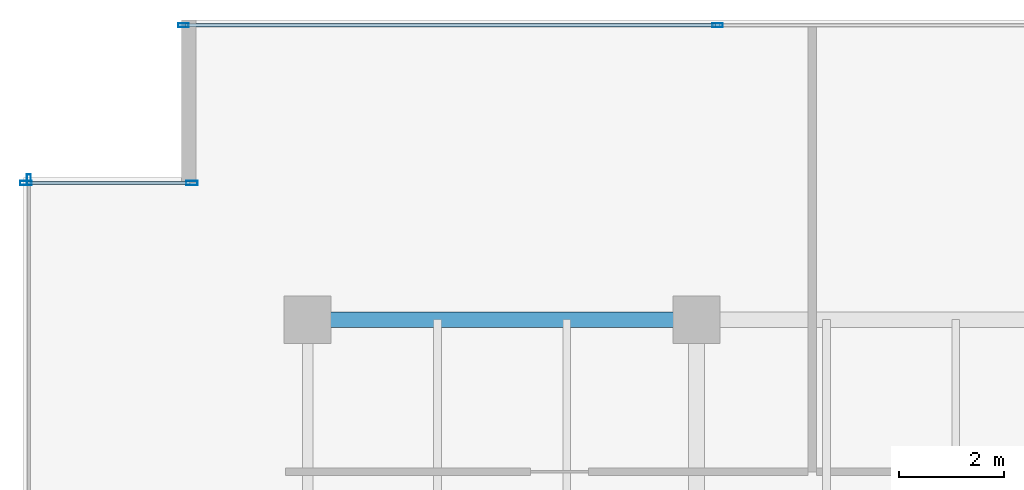
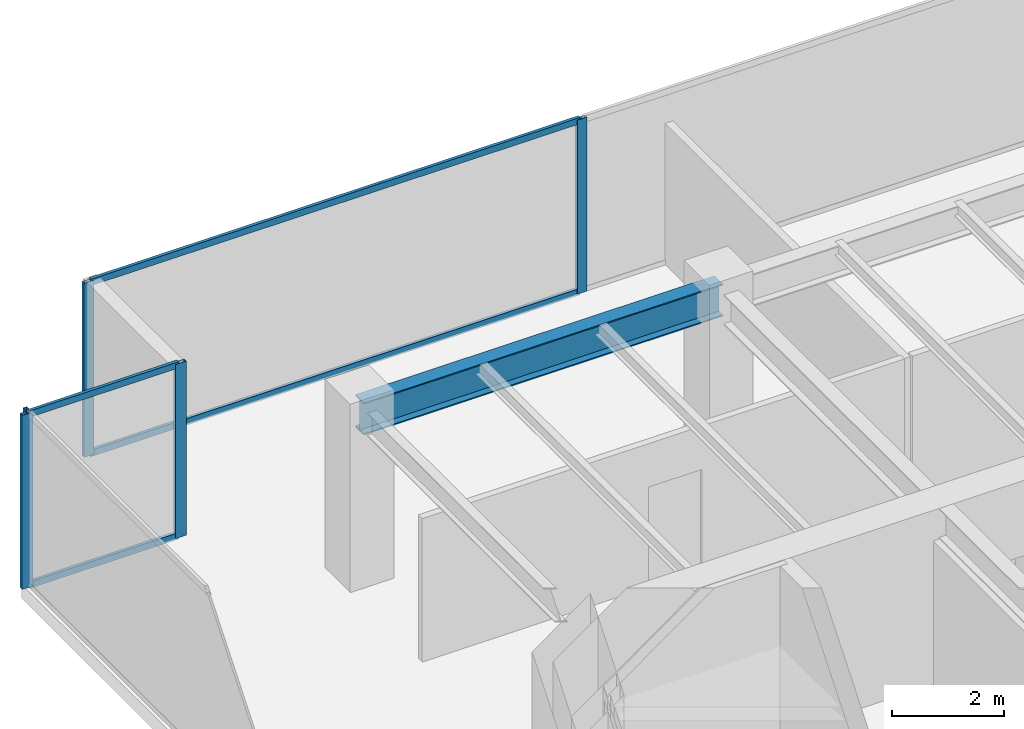
# One storey, part 14 of 30: 9 members, 1 beam, 3 elements without a shape of their own.
"""IFC4 building model written with IfcOpenShell, lengths in metres."""

from ifc_helpers import new_model, si_unit, direction, frame, origin, origin_2d, place, context, subcontext, project, spatial, hollow_rectangle, i_section, extrude, source, transform, mapped, material, layer, layer_set, material_profile, profile_set, type_object, type_shapes, element, aggregate, save


model = new_model("IFC4")

# Units and contexts
model_context = context("Model", 3, precision=1e-05, world=origin(), true_north=direction((0.0, 1.0)))
body_context = subcontext(model_context, "Body", "Model", "MODEL_VIEW")
ifc_project = project(units=[si_unit("LENGTHUNIT", "METRE"), si_unit("AREAUNIT", "SQUARE_METRE"), si_unit("VOLUMEUNIT", "CUBIC_METRE"), si_unit("PLANEANGLEUNIT", "RADIAN"), si_unit("MASSUNIT", "GRAM", prefix="KILO")], contexts=[model_context])

# Site, building, storey
site_placement = place(None, origin())
site = spatial("IfcSite", under=ifc_project, at=site_placement, CompositionType="ELEMENT")
building_placement = place(site_placement, origin())
building = spatial("IfcBuilding", under=site, at=building_placement, Name="Haelvirn Gate Laboratories", CompositionType="ELEMENT")
storey_placement = place(building_placement, frame((0.0, 0.0, 142.0)))
storey = spatial("IfcBuildingStorey", under=building, at=storey_placement, Name="L34", CompositionType="ELEMENT", Elevation=142.0)

# Beam
ifc_material_1 = material(Name="Steel SM355", Category="steel")
ifc_material_profile_1 = material_profile(ifc_material_1, i_section(OverallWidth=0.300048828125, OverallDepth=0.699951171875, WebThickness=0.012939453125, FlangeThickness=0.02392578125, at=origin_2d()), Name="H-700x300x13x24")
ifc_profile_set_1 = profile_set([ifc_material_profile_1], Name="Steel SM355")
beam_type = type_object("IfcBeamType", Name="BM-G-700", PredefinedType="BEAM", material=ifc_profile_set_1)
shared_shape_1 = source(origin(), body_context, "Body", "SweptSolid", [
    extrude(i_section(OverallWidth=0.300048828125, OverallDepth=0.699951171875, WebThickness=0.012939453125, FlangeThickness=0.02392578125, at=origin_2d()), origin(), (0.0, 0.0, 1.0), 7.400146484375),
])
type_shapes(beam_type, [shared_shape_1])
beam_placement = place(storey_placement, frame((7.39990234375, 41.60009765625, 3.43994140625), z_axis=(1.0, 0.0, 0.0), x_axis=(0.0, 1.0, 0.0)))
element("IfcBeam", 1, at=beam_placement, inside=storey, type_object=beam_type, Name="L34 Primary Girder Y41.6 (7.4-14.8)", PredefinedType="BEAM", context=body_context, shape_type="MappedRepresentation", body=[
    mapped(shared_shape_1, transform((0.0, 0.0, 0.0), scale=1.0)),
])

# Curtain wall, members
ifc_material_2 = material(Name="Anodised bronze unitised aluminium & triple low-E glass", Category="aluminium")
ifc_layer_1 = layer(ifc_material_2, 0.179931640625, Name="CW-SYS-3")
ifc_layer_set_1 = layer_set([ifc_layer_1], Name="Anodised bronze unitised aluminium & triple low-E glass")
curtain_wall_type_1 = type_object("IfcCurtainWallType", Name="CW-SYS-3", PredefinedType="NOTDEFINED", material=ifc_layer_set_1)
curtain_wall_1_placement = place(storey_placement, origin())
curtain_wall_1 = element("IfcCurtainWall", 2, at=curtain_wall_1_placement, inside=storey, type_object=curtain_wall_type_1, Name="L34 Unitised Curtain Wall CW-L34-P0-E14-1", PredefinedType="NOTDEFINED")
ifc_material_3 = material(Name="Extruded aluminium 6063-T6 (anodised bronze)", Category="aluminium")
ifc_material_profile_2 = material_profile(ifc_material_3, hollow_rectangle(XDim=0.06494140625, YDim=0.139892578125, WallThickness=0.00390625, at=origin_2d()), Name="CWT-140x65x4")
ifc_profile_set_2 = profile_set([ifc_material_profile_2], Name="Extruded aluminium 6063-T6 (anodised bronze)")
member_type_1 = type_object("IfcMemberType", Name="CWT-T140", PredefinedType="USERDEFINED", material=ifc_profile_set_2)
shared_shape_2 = source(origin(), body_context, "Body", "SweptSolid", [
    extrude(hollow_rectangle(XDim=0.06494140625, YDim=0.139892578125, WallThickness=0.00390625, at=origin_2d()), origin(), (0.0, 0.0, 1.0), 10.087646484375),
])
member_1_placement = place(storey_placement, frame((5.074951171875, 47.199951171875, 0.032470703125), z_axis=(1.0, 0.0, 0.0), x_axis=(0.0, 1.0, 0.0)))
member_1 = element("IfcMember", 3, at=member_1_placement, type_object=member_type_1, Name="CW3 transom 1.1", ObjectType="TRANSOM", PredefinedType="USERDEFINED", context=body_context, shape_type="MappedRepresentation", body=[
    mapped(shared_shape_2, transform((0.0, 0.0, 0.0), scale=1.0)),
])
member_2_placement = place(storey_placement, frame((5.074951171875, 47.199951171875, 3.757568359375), z_axis=(1.0, 0.0, 0.0), x_axis=(0.0, 1.0, 0.0)))
member_2 = element("IfcMember", 4, at=member_2_placement, type_object=member_type_1, Name="CW3 transom 1.2", ObjectType="TRANSOM", PredefinedType="USERDEFINED", context=body_context, shape_type="MappedRepresentation", body=[
    mapped(shared_shape_2, transform((0.0, 0.0, 0.0), scale=1.0)),
])

ifc_layer_2 = layer(ifc_material_2, 0.181884765625, Name="CW-SYS-5")
ifc_layer_set_2 = layer_set([ifc_layer_2], Name="Anodised bronze unitised aluminium & triple low-E glass")
curtain_wall_type_2 = type_object("IfcCurtainWallType", Name="CW-SYS-5", PredefinedType="NOTDEFINED", material=ifc_layer_set_2)
curtain_wall_2_placement = place(storey_placement, origin())
curtain_wall_2 = element("IfcCurtainWall", 5, at=curtain_wall_2_placement, inside=storey, type_object=curtain_wall_type_2, Name="L34 Unitised Curtain Wall CW-L34-P0-E16-1", PredefinedType="NOTDEFINED")
shared_shape_3 = source(origin(), body_context, "Body", "SweptSolid", [
    extrude(hollow_rectangle(XDim=0.06494140625, YDim=0.139892578125, WallThickness=0.00390625, at=origin_2d()), origin(), (0.0, 0.0, 1.0), 3.079833984375),
])
type_shapes(member_type_1, [shared_shape_2, shared_shape_3])
member_3_placement = place(storey_placement, frame((2.080078125, 44.199951171875, 0.032470703125), z_axis=(1.0, 0.0, 0.0), x_axis=(0.0, 1.0, 0.0)))
member_3 = element("IfcMember", 6, at=member_3_placement, type_object=member_type_1, Name="CW5 transom 1.1", ObjectType="TRANSOM", PredefinedType="USERDEFINED", context=body_context, shape_type="MappedRepresentation", body=[
    mapped(shared_shape_3, transform((0.0, 0.0, 0.0), scale=1.0)),
])
member_4_placement = place(storey_placement, frame((2.080078125, 44.199951171875, 3.757568359375), z_axis=(1.0, 0.0, 0.0), x_axis=(0.0, 1.0, 0.0)))
member_4 = element("IfcMember", 7, at=member_4_placement, type_object=member_type_1, Name="CW5 transom 1.2", ObjectType="TRANSOM", PredefinedType="USERDEFINED", context=body_context, shape_type="MappedRepresentation", body=[
    mapped(shared_shape_3, transform((0.0, 0.0, 0.0), scale=1.0)),
])

# Member
ifc_material_profile_3 = material_profile(ifc_material_3, hollow_rectangle(XDim=0.074951171875, YDim=0.199951171875, WallThickness=0.0048828125, at=origin_2d()), Name="CWM-200x75x5")
ifc_profile_set_3 = profile_set([ifc_material_profile_3], Name="Extruded aluminium 6063-T6 (anodised bronze)")
member_type_2 = type_object("IfcMemberType", Name="CWM-T200", PredefinedType="MULLION", material=ifc_profile_set_3)
shared_shape_4 = source(origin(), body_context, "Body", "SweptSolid", [
    extrude(hollow_rectangle(XDim=0.074951171875, YDim=0.199951171875, WallThickness=0.0048828125, at=origin_2d()), origin(), (0.0, 0.0, 1.0), 3.7900390625),
])
type_shapes(member_type_2, [shared_shape_4])
member_5_placement = place(storey_placement, frame((5.03759765625, 47.199951171875, 0.0), z_axis=(0.0, 0.0, 1.0), x_axis=(0.0, 1.0, 0.0)))
member_5 = element("IfcMember", 8, at=member_5_placement, type_object=member_type_2, Name="CW3 mullion 1", PredefinedType="MULLION", context=body_context, shape_type="MappedRepresentation", body=[
    mapped(shared_shape_4, transform((0.0, 0.0, 0.0), scale=1.0)),
])

member_6_placement = place(storey_placement, frame((15.199951171875, 47.199951171875, 0.0), z_axis=(0.0, 0.0, 1.0), x_axis=(0.0, 1.0, 0.0)))
member_6 = element("IfcMember", 9, at=member_6_placement, type_object=member_type_2, Name="CW3 mullion 2", PredefinedType="MULLION", context=body_context, shape_type="MappedRepresentation", body=[
    mapped(shared_shape_4, transform((0.0, 0.0, 0.0), scale=1.0)),
])

aggregate(curtain_wall_1, [member_5, member_6, member_1, member_2])

# Curtain wall, member
curtain_wall_3_placement = place(storey_placement, origin())
curtain_wall_3 = element("IfcCurtainWall", 10, at=curtain_wall_3_placement, inside=storey, type_object=curtain_wall_type_1, Name="L34 Unitised Curtain Wall CW-L34-P0-E17", PredefinedType="NOTDEFINED")
member_7_placement = place(storey_placement, frame((2.10009765625, 44.262451171875, 0.0), z_axis=(0.0, 0.0, 1.0), x_axis=(1.0, 0.0, 0.0)))
member_7 = element("IfcMember", 11, at=member_7_placement, type_object=member_type_2, Name="CW3 mullion 1", PredefinedType="MULLION", context=body_context, shape_type="MappedRepresentation", body=[
    mapped(shared_shape_4, transform((0.0, 0.0, 0.0), scale=1.0)),
])
aggregate(curtain_wall_3, [member_7])

# Member
ifc_material_profile_4 = material_profile(ifc_material_3, hollow_rectangle(XDim=0.080078125, YDim=0.219970703125, WallThickness=0.006103515625, at=origin_2d()), Name="CWM-220x80x6")
ifc_profile_set_4 = profile_set([ifc_material_profile_4], Name="Extruded aluminium 6063-T6 (anodised bronze)")
member_type_3 = type_object("IfcMemberType", Name="CWM-T220", PredefinedType="MULLION", material=ifc_profile_set_4)
shared_shape_5 = source(origin(), body_context, "Body", "SweptSolid", [
    extrude(hollow_rectangle(XDim=0.080078125, YDim=0.219970703125, WallThickness=0.006103515625, at=origin_2d()), origin(), (0.0, 0.0, 1.0), 3.7900390625),
])
type_shapes(member_type_3, [shared_shape_5])
member_8_placement = place(storey_placement, frame((2.0400390625, 44.199951171875, 0.0), z_axis=(0.0, 0.0, 1.0), x_axis=(0.0, 1.0, 0.0)))
member_8 = element("IfcMember", 12, at=member_8_placement, type_object=member_type_3, Name="CW5 mullion 1", PredefinedType="MULLION", context=body_context, shape_type="MappedRepresentation", body=[
    mapped(shared_shape_5, transform((0.0, 0.0, 0.0), scale=1.0)),
])

member_9_placement = place(storey_placement, frame((5.199951171875, 44.199951171875, 0.0), z_axis=(0.0, 0.0, 1.0), x_axis=(0.0, 1.0, 0.0)))
member_9 = element("IfcMember", 13, at=member_9_placement, type_object=member_type_3, Name="CW5 mullion 2", PredefinedType="MULLION", context=body_context, shape_type="MappedRepresentation", body=[
    mapped(shared_shape_5, transform((0.0, 0.0, 0.0), scale=1.0)),
])

aggregate(curtain_wall_2, [member_8, member_9, member_3, member_4])

save(model, "model.ifc")
